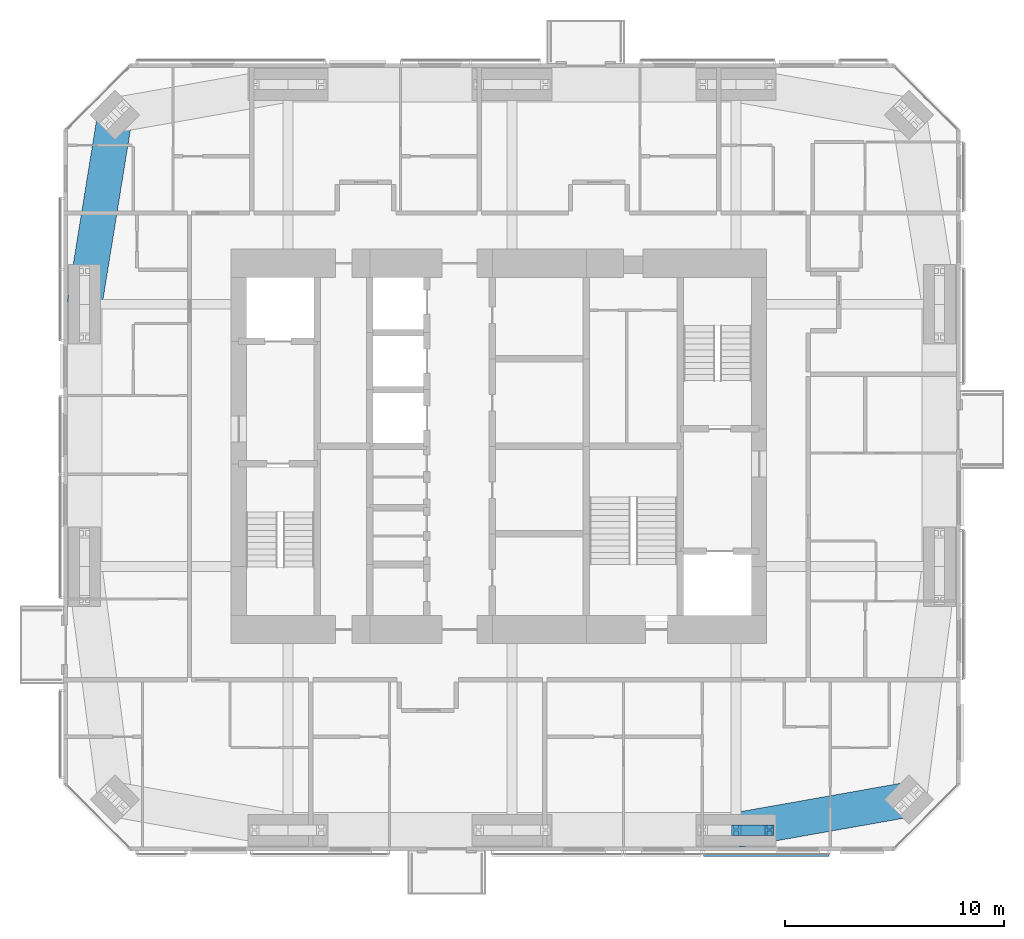
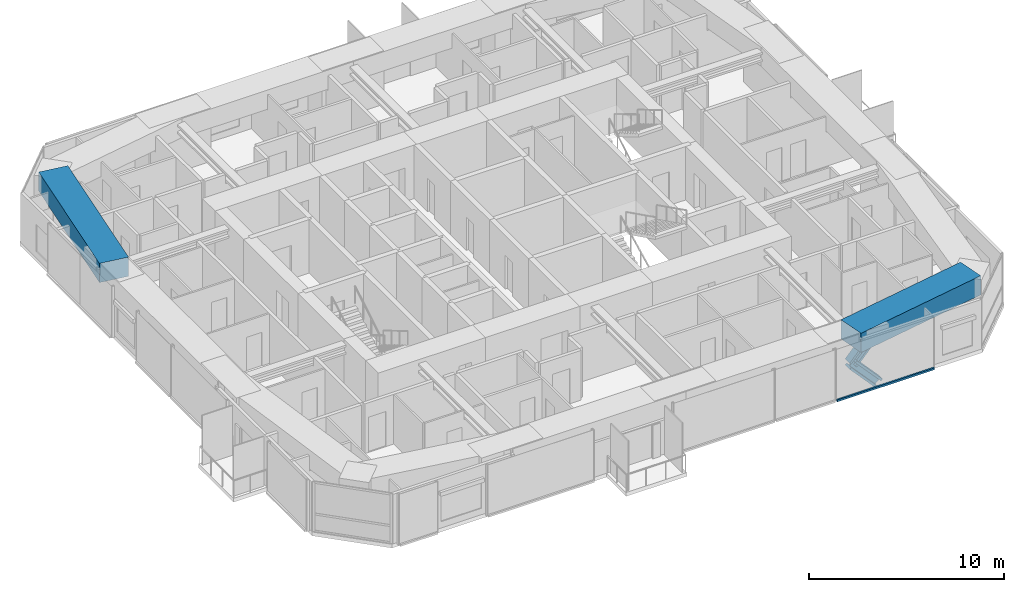
# One storey, part 7 of 23: 3 members, 2 beams, 1 element without a shape of its own.
"""IFC4 building model written with IfcOpenShell, lengths in metres."""

from ifc_helpers import new_model, si_unit, direction, frame, origin, origin_2d, place, context, subcontext, project, spatial, rectangle, i_section, extrude, material, material_profile, profile_set, type_object, element, aggregate, save


model = new_model("IFC4")

# Units and contexts
model_context = context("Model", 3, precision=1e-05, world=origin(), true_north=direction((0.0, 1.0)))
body_context = subcontext(model_context, "Body", "Model", "MODEL_VIEW")
ifc_project = project(units=[si_unit("LENGTHUNIT", "METRE"), si_unit("AREAUNIT", "SQUARE_METRE"), si_unit("VOLUMEUNIT", "CUBIC_METRE"), si_unit("PLANEANGLEUNIT", "RADIAN"), si_unit("MASSUNIT", "GRAM", prefix="KILO")], contexts=[model_context])

# Site, building, storey
site_placement = place(None, origin())
site = spatial("IfcSite", under=ifc_project, at=site_placement, CompositionType="ELEMENT")
building_placement = place(site_placement, origin())
building = spatial("IfcBuilding", under=site, at=building_placement, Name="Jalousie Tower", CompositionType="ELEMENT")
storey_placement = place(building_placement, frame((0.0, 0.0, 191.199951171875)))
storey = spatial("IfcBuildingStorey", under=building, at=storey_placement, Name="L52", CompositionType="ELEMENT", Elevation=191.199951171875)

# Members
ifc_material_1 = material(Name="Steel ASTM A992 Grade 50", Category="steel")
ifc_material_profile_1 = material_profile(ifc_material_1, i_section(OverallWidth=0.472412109375, OverallDepth=0.5791015625, WebThickness=0.094970703125, FlangeThickness=0.1298828125, at=origin_2d()), Name="W14X808")
ifc_profile_set_1 = profile_set([ifc_material_profile_1], Name="Steel ASTM A992 Grade 50")
member_type_1 = type_object("IfcMemberType", Name="PERIMETER BRACE W14X808", PredefinedType="BRACE", material=ifc_profile_set_1)
for number, where, z_axis, x_axis, name in (
    (1, (42.75, 0.949951171875, 1.074951171875), (0.673187629365, 0.0, 0.739471713908), (0.0, 1.0, 0.0), "Perimeter brace 04 L52 part 2"),
    (2, (44.27490234375, 0.949951171875, -0.599853515625), (-0.673241284601, 0.0, 0.739422864611), (0.0, -1.0, 0.0), "Perimeter brace 04 L52 part 3"),
):
    element("IfcMember", number, at=place(storey_placement, frame(where, z_axis=z_axis, x_axis=x_axis)), inside=storey, type_object=member_type_1, Name=name, PredefinedType="BRACE", context=body_context, shape_type="SweptSolid", body=[
        extrude(i_section(OverallWidth=0.472412109375, OverallDepth=0.5791015625, WebThickness=0.094970703125, FlangeThickness=0.1298828125, at=origin_2d()), origin(), (0.0, 0.0, 1.0), 2.26513671875),
    ])

# Beams
ifc_material_2 = material(Name="Concrete f'c 40 MPa", Category="concrete")
ifc_material_profile_2 = material_profile(ifc_material_2, rectangle(XDim=1.60009765625, YDim=1.199951171875, at=origin_2d()), Name="RC 1600x1200")
ifc_profile_set_2 = profile_set([ifc_material_profile_2], Name="Concrete f'c 40 MPa")
beam_type = type_object("IfcBeamType", Name="RC BEAM 1600x1200", PredefinedType="BEAM", material=ifc_profile_set_2)
beam_1_placement = place(storey_placement, frame((42.75, 0.949951171875, 2.75), z_axis=(0.984697370688, 0.174273027632, 0.0), x_axis=(-0.174273027632, 0.984697370688, 0.0)))
element("IfcBeam", 3, at=beam_1_placement, inside=storey, type_object=beam_type, Name="Edge band beam 04-05 under L53", PredefinedType="BEAM", context=body_context, shape_type="SweptSolid", body=[
    extrude(rectangle(XDim=1.60009765625, YDim=1.199951171875, at=origin_2d()), origin(), (0.0, 0.0, 1.0), 8.0244140625),
])
beam_2_placement = place(storey_placement, frame((14.348388671875, 33.651611328125, 2.75), z_axis=(-0.159567878256, -0.987186959106, 0.0), x_axis=(0.987186959106, -0.159567878256, 0.0)))
element("IfcBeam", 4, at=beam_2_placement, inside=storey, type_object=beam_type, Name="Edge band beam 12-13 under L53", PredefinedType="BEAM", context=body_context, shape_type="SweptSolid", body=[
    extrude(rectangle(XDim=1.60009765625, YDim=1.199951171875, at=origin_2d()), origin(), (0.0, 0.0, 1.0), 8.763916015625),
])

# Curtain wall, member
ifc_material_3 = material(Name="Perforated aluminium sheet", Category="aluminium")
curtain_wall_type = type_object("IfcCurtainWallType", Name="SOLAR SCREEN SS-1", PredefinedType="USERDEFINED", material=ifc_material_3)
curtain_wall_placement = place(storey_placement, origin())
curtain_wall = element("IfcCurtainWall", 5, at=curtain_wall_placement, inside=storey, type_object=curtain_wall_type, Name="Solar screen L52", ObjectType="SOLAR SCREEN SS-1", PredefinedType="USERDEFINED")
ifc_material_4 = material(Name="Extruded aluminium screen rail", Category="aluminium")
ifc_material_profile_3 = material_profile(ifc_material_4, rectangle(XDim=0.1015625, YDim=0.1201171875, at=origin_2d()), Name="RAIL 102x120")
ifc_profile_set_3 = profile_set([ifc_material_profile_3], Name="Extruded aluminium screen rail")
member_type_2 = type_object("IfcMemberType", Name="SOLAR SCREEN SS-1 TRANSOM", PredefinedType="USERDEFINED", material=ifc_profile_set_3)
member_placement = place(storey_placement, frame((41.25, -0.1982421875, -0.06005859375), z_axis=(1.0, 0.0, 0.0), x_axis=(0.0, 1.0, 0.0)))
member = element("IfcMember", 6, at=member_placement, type_object=member_type_2, Name="SS1 rail", ObjectType="TRANSOM", PredefinedType="USERDEFINED", context=body_context, shape_type="SweptSolid", body=[
    extrude(rectangle(XDim=0.1015625, YDim=0.1201171875, at=origin_2d()), origin(), (0.0, 0.0, 1.0), 5.75),
])
aggregate(curtain_wall, [member])

save(model, "model.ifc")
